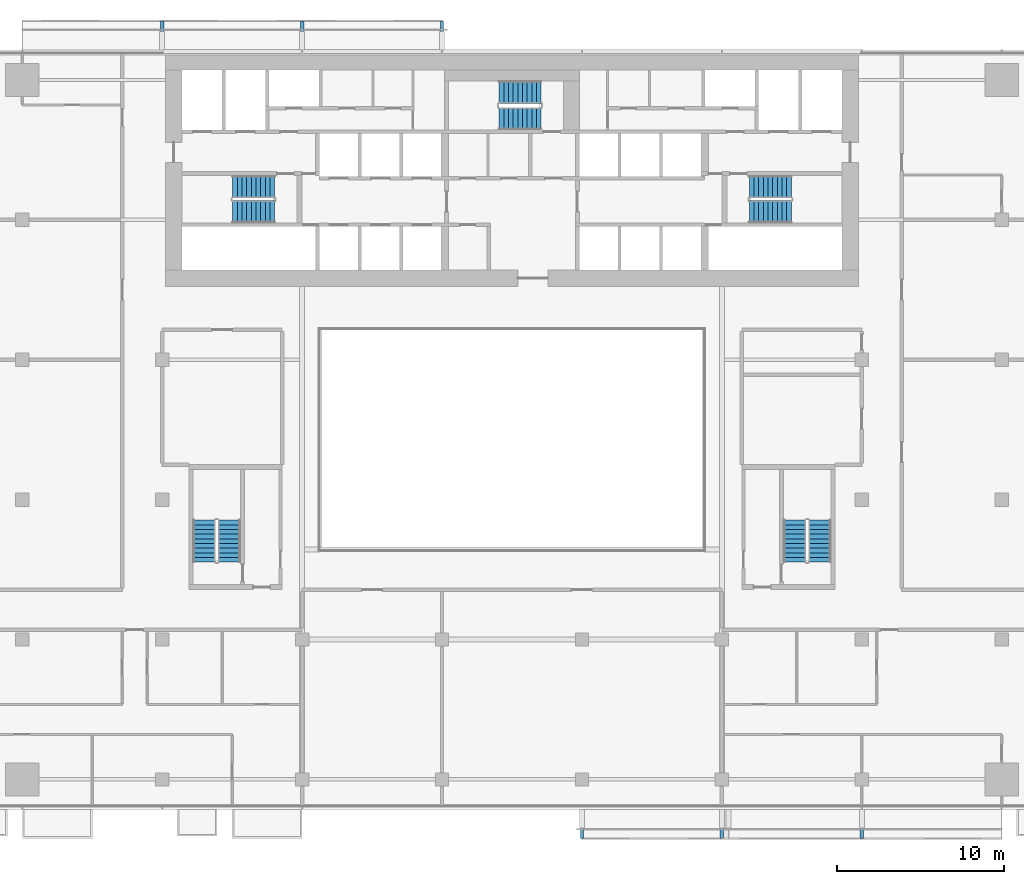
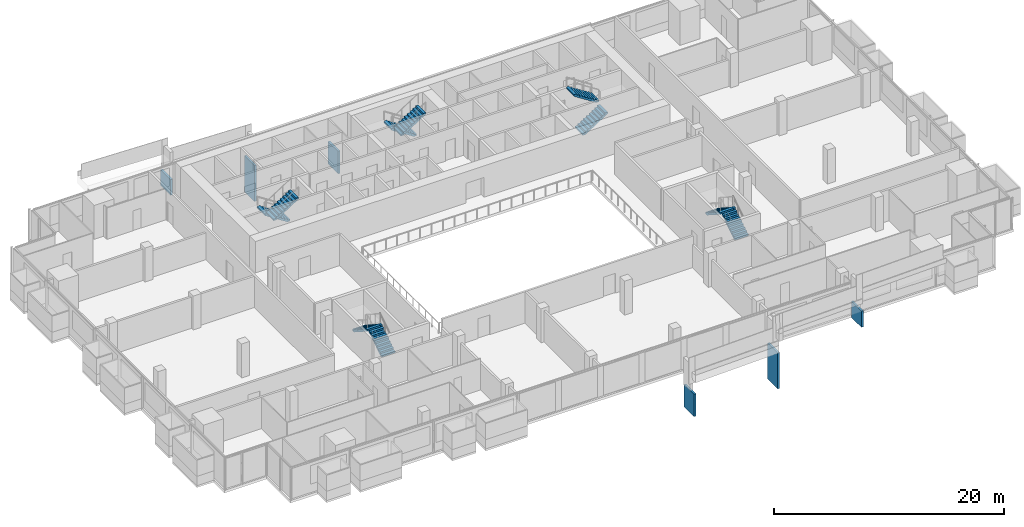
# One storey, part 23 of 26: 10 stair flights, 6 discrete accessories, 5 elements without a shape of their own.
"""IFC4 building model written with IfcOpenShell, lengths in metres."""

from ifc_helpers import new_model, si_unit, direction, frame, origin, origin_2d, place, context, subcontext, project, spatial, polyline, rectangle, outline, extrude, material, type_object, element, aggregate, save


model = new_model("IFC4")

# Units and contexts
model_context = context("Model", 3, precision=1e-05, world=origin(), true_north=direction((0.0, 1.0)))
body_context = subcontext(model_context, "Body", "Model", "MODEL_VIEW")
ifc_project = project(units=[si_unit("LENGTHUNIT", "METRE"), si_unit("AREAUNIT", "SQUARE_METRE"), si_unit("VOLUMEUNIT", "CUBIC_METRE"), si_unit("PLANEANGLEUNIT", "RADIAN"), si_unit("MASSUNIT", "GRAM", prefix="KILO")], contexts=[model_context])

# Site, building, storey
site_placement = place(None, origin())
site = spatial("IfcSite", under=ifc_project, at=site_placement, CompositionType="ELEMENT")
building_placement = place(site_placement, origin())
building = spatial("IfcBuilding", under=site, at=building_placement, Name="Saffron Gate Tower", CompositionType="ELEMENT")
storey_placement = place(building_placement, frame((0.0, 0.0, 102.449951171875)))
storey = spatial("IfcBuildingStorey", under=building, at=storey_placement, Name="L23", CompositionType="ELEMENT", Elevation=102.449951171875)

# Stair, stair flights
ifc_material = material(Name="Concrete C40", Category="concrete")
stair_type = type_object("IfcStairType", Name="ST7 Stair 1350 wide, 20 risers of 180", PredefinedType="HALF_TURN_STAIR", material=ifc_material)
stair_1_placement = place(storey_placement, origin())
stair_1 = element("IfcStair", 1, at=stair_1_placement, inside=storey, type_object=stair_type, Name="L23 Exit stair A", PredefinedType="HALF_TURN_STAIR")
stair_flight_type = type_object("IfcStairFlightType", Name="SF3 Stair flight 1350 wide, riser 180 going 280", PredefinedType="STRAIGHT", material=ifc_material)
stair_flight_1_placement = place(storey_placement, frame((73.35009765625, 67.375, 0.0), z_axis=(0.0, 0.0, 1.0), x_axis=(-1.0, 0.0, 0.0)))
stair_flight_1 = element("IfcStairFlight", 2, at=stair_flight_1_placement, type_object=stair_flight_type, Name="ST-A flight 1", NumberOfRisers=10, NumberOfTreads=9, PredefinedType="STRAIGHT", RiserHeight=0.18, TreadLength=0.28, context=body_context, shape_type="SweptSolid", body=[
    extrude(outline(polyline([(0.0, 0.0), (0.0, 0.179931640625), (0.280029296875, 0.179931640625), (0.280029296875, 0.360107421875), (0.56005859375, 0.360107421875), (0.56005859375, 0.5400390625), (0.840087890625, 0.5400390625), (0.840087890625, 0.719970703125), (1.1201171875, 0.719970703125), (1.1201171875, 0.89990234375), (1.39990234375, 0.89990234375), (1.39990234375, 1.080078125), (1.679931640625, 1.080078125), (1.679931640625, 1.260009765625), (1.9599609375, 1.260009765625), (1.9599609375, 1.43994140625), (2.239990234375, 1.43994140625), (2.239990234375, 1.6201171875), (2.52001953125, 1.6201171875), (2.52001953125, 1.800048828125), (2.52001953125, 1.44189453125), (0.277099609375, 0.0), (0.0, 0.0)])), frame((0.0, 0.675048828125, 0.0), z_axis=(0.0, -1.0, 0.0), x_axis=(1.0, 0.0, 0.0)), (0.0, 0.0, 1.0), 1.35009765625),
])
stair_flight_2_placement = place(storey_placement, frame((70.830078125, 65.875, 1.800048828125), z_axis=(0.0, 0.0, 1.0), x_axis=(1.0, 0.0, 0.0)))
stair_flight_2 = element("IfcStairFlight", 3, at=stair_flight_2_placement, type_object=stair_flight_type, Name="ST-A flight 2", NumberOfRisers=10, NumberOfTreads=9, PredefinedType="STRAIGHT", RiserHeight=0.18, TreadLength=0.28, context=body_context, shape_type="SweptSolid", body=[
    extrude(outline(polyline([(0.0, 0.0), (0.0, 0.179931640625), (0.280029296875, 0.179931640625), (0.280029296875, 0.360107421875), (0.56005859375, 0.360107421875), (0.56005859375, 0.5400390625), (0.840087890625, 0.5400390625), (0.840087890625, 0.719970703125), (1.1201171875, 0.719970703125), (1.1201171875, 0.89990234375), (1.39990234375, 0.89990234375), (1.39990234375, 1.080078125), (1.679931640625, 1.080078125), (1.679931640625, 1.260009765625), (1.9599609375, 1.260009765625), (1.9599609375, 1.43994140625), (2.239990234375, 1.43994140625), (2.239990234375, 1.6201171875), (2.52001953125, 1.6201171875), (2.52001953125, 1.800048828125), (2.52001953125, 1.44189453125), (0.277099609375, 0.0), (0.0, 0.0)])), frame((0.0, 0.675048828125, 0.0), z_axis=(0.0, -1.0, 0.0), x_axis=(1.0, 0.0, 0.0)), (0.0, 0.0, 1.0), 1.35009765625),
])
aggregate(stair_1, [stair_flight_1, stair_flight_2])

stair_2_placement = place(storey_placement, origin())
stair_2 = element("IfcStair", 4, at=stair_2_placement, inside=storey, type_object=stair_type, Name="L23 Exit stair B", PredefinedType="HALF_TURN_STAIR")
stair_flight_3_placement = place(storey_placement, frame((101.85009765625, 65.875, 0.0), z_axis=(0.0, 0.0, 1.0), x_axis=(1.0, 0.0, 0.0)))
stair_flight_3 = element("IfcStairFlight", 5, at=stair_flight_3_placement, type_object=stair_flight_type, Name="ST-B flight 1", NumberOfRisers=10, NumberOfTreads=9, PredefinedType="STRAIGHT", RiserHeight=0.18, TreadLength=0.28, context=body_context, shape_type="SweptSolid", body=[
    extrude(outline(polyline([(0.0, 0.0), (0.0, 0.179931640625), (0.280029296875, 0.179931640625), (0.280029296875, 0.360107421875), (0.56005859375, 0.360107421875), (0.56005859375, 0.5400390625), (0.840087890625, 0.5400390625), (0.840087890625, 0.719970703125), (1.1201171875, 0.719970703125), (1.1201171875, 0.89990234375), (1.39990234375, 0.89990234375), (1.39990234375, 1.080078125), (1.679931640625, 1.080078125), (1.679931640625, 1.260009765625), (1.9599609375, 1.260009765625), (1.9599609375, 1.43994140625), (2.239990234375, 1.43994140625), (2.239990234375, 1.6201171875), (2.52001953125, 1.6201171875), (2.52001953125, 1.800048828125), (2.52001953125, 1.44189453125), (0.277099609375, 0.0), (0.0, 0.0)])), frame((0.0, 0.675048828125, 0.0), z_axis=(0.0, -1.0, 0.0), x_axis=(1.0, 0.0, 0.0)), (0.0, 0.0, 1.0), 1.35009765625),
])
stair_flight_4_placement = place(storey_placement, frame((104.3701171875, 67.375, 1.800048828125), z_axis=(0.0, 0.0, 1.0), x_axis=(-1.0, 0.0, 0.0)))
stair_flight_4 = element("IfcStairFlight", 6, at=stair_flight_4_placement, type_object=stair_flight_type, Name="ST-B flight 2", NumberOfRisers=10, NumberOfTreads=9, PredefinedType="STRAIGHT", RiserHeight=0.18, TreadLength=0.28, context=body_context, shape_type="SweptSolid", body=[
    extrude(outline(polyline([(0.0, 0.0), (0.0, 0.179931640625), (0.280029296875, 0.179931640625), (0.280029296875, 0.360107421875), (0.56005859375, 0.360107421875), (0.56005859375, 0.5400390625), (0.840087890625, 0.5400390625), (0.840087890625, 0.719970703125), (1.1201171875, 0.719970703125), (1.1201171875, 0.89990234375), (1.39990234375, 0.89990234375), (1.39990234375, 1.080078125), (1.679931640625, 1.080078125), (1.679931640625, 1.260009765625), (1.9599609375, 1.260009765625), (1.9599609375, 1.43994140625), (2.239990234375, 1.43994140625), (2.239990234375, 1.6201171875), (2.52001953125, 1.6201171875), (2.52001953125, 1.800048828125), (2.52001953125, 1.44189453125), (0.277099609375, 0.0), (0.0, 0.0)])), frame((0.0, 0.675048828125, 0.0), z_axis=(0.0, -1.0, 0.0), x_axis=(1.0, 0.0, 0.0)), (0.0, 0.0, 1.0), 1.35009765625),
])
aggregate(stair_2, [stair_flight_3, stair_flight_4])

stair_3_placement = place(storey_placement, origin())
stair_3 = element("IfcStair", 7, at=stair_3_placement, inside=storey, type_object=stair_type, Name="L23 Exit stair C", PredefinedType="HALF_TURN_STAIR")
stair_flight_5_placement = place(storey_placement, frame((89.35009765625, 73.074951171875, 0.0), z_axis=(0.0, 0.0, 1.0), x_axis=(-1.0, 0.0, 0.0)))
stair_flight_5 = element("IfcStairFlight", 8, at=stair_flight_5_placement, type_object=stair_flight_type, Name="ST-C flight 1", NumberOfRisers=10, NumberOfTreads=9, PredefinedType="STRAIGHT", RiserHeight=0.18, TreadLength=0.28, context=body_context, shape_type="SweptSolid", body=[
    extrude(outline(polyline([(0.0, 0.0), (0.0, 0.179931640625), (0.280029296875, 0.179931640625), (0.280029296875, 0.360107421875), (0.56005859375, 0.360107421875), (0.56005859375, 0.5400390625), (0.840087890625, 0.5400390625), (0.840087890625, 0.719970703125), (1.1201171875, 0.719970703125), (1.1201171875, 0.89990234375), (1.39990234375, 0.89990234375), (1.39990234375, 1.080078125), (1.679931640625, 1.080078125), (1.679931640625, 1.260009765625), (1.9599609375, 1.260009765625), (1.9599609375, 1.43994140625), (2.239990234375, 1.43994140625), (2.239990234375, 1.6201171875), (2.52001953125, 1.6201171875), (2.52001953125, 1.800048828125), (2.52001953125, 1.44189453125), (0.277099609375, 0.0), (0.0, 0.0)])), frame((0.0, 0.675048828125, 0.0), z_axis=(0.0, -1.0, 0.0), x_axis=(1.0, 0.0, 0.0)), (0.0, 0.0, 1.0), 1.35009765625),
])
stair_flight_6_placement = place(storey_placement, frame((86.830078125, 71.47509765625, 1.800048828125), z_axis=(0.0, 0.0, 1.0), x_axis=(1.0, 0.0, 0.0)))
stair_flight_6 = element("IfcStairFlight", 9, at=stair_flight_6_placement, type_object=stair_flight_type, Name="ST-C flight 2", NumberOfRisers=10, NumberOfTreads=9, PredefinedType="STRAIGHT", RiserHeight=0.18, TreadLength=0.28, context=body_context, shape_type="SweptSolid", body=[
    extrude(outline(polyline([(0.0, 0.0), (0.0, 0.179931640625), (0.280029296875, 0.179931640625), (0.280029296875, 0.360107421875), (0.56005859375, 0.360107421875), (0.56005859375, 0.5400390625), (0.840087890625, 0.5400390625), (0.840087890625, 0.719970703125), (1.1201171875, 0.719970703125), (1.1201171875, 0.89990234375), (1.39990234375, 0.89990234375), (1.39990234375, 1.080078125), (1.679931640625, 1.080078125), (1.679931640625, 1.260009765625), (1.9599609375, 1.260009765625), (1.9599609375, 1.43994140625), (2.239990234375, 1.43994140625), (2.239990234375, 1.6201171875), (2.52001953125, 1.6201171875), (2.52001953125, 1.800048828125), (2.52001953125, 1.44189453125), (0.277099609375, 0.0), (0.0, 0.0)])), frame((0.0, 0.675048828125, 0.0), z_axis=(0.0, -1.0, 0.0), x_axis=(1.0, 0.0, 0.0)), (0.0, 0.0, 1.0), 1.35009765625),
])
aggregate(stair_3, [stair_flight_5, stair_flight_6])

stair_4_placement = place(storey_placement, origin())
stair_4 = element("IfcStair", 10, at=stair_4_placement, inside=storey, type_object=stair_type, Name="L23 Exit stair D", PredefinedType="HALF_TURN_STAIR")
stair_flight_7_placement = place(storey_placement, frame((70.625, 44.85009765625, 0.0), z_axis=(0.0, 0.0, 1.0), x_axis=(0.0, 1.0, 0.0)))
stair_flight_7 = element("IfcStairFlight", 11, at=stair_flight_7_placement, type_object=stair_flight_type, Name="ST-D flight 1", NumberOfRisers=10, NumberOfTreads=9, PredefinedType="STRAIGHT", RiserHeight=0.18, TreadLength=0.28, context=body_context, shape_type="SweptSolid", body=[
    extrude(outline(polyline([(0.0, 0.0), (0.0, 0.179931640625), (0.280029296875, 0.179931640625), (0.280029296875, 0.360107421875), (0.56005859375, 0.360107421875), (0.56005859375, 0.5400390625), (0.840087890625, 0.5400390625), (0.840087890625, 0.719970703125), (1.1201171875, 0.719970703125), (1.1201171875, 0.89990234375), (1.39990234375, 0.89990234375), (1.39990234375, 1.080078125), (1.679931640625, 1.080078125), (1.679931640625, 1.260009765625), (1.9599609375, 1.260009765625), (1.9599609375, 1.43994140625), (2.239990234375, 1.43994140625), (2.239990234375, 1.6201171875), (2.52001953125, 1.6201171875), (2.52001953125, 1.800048828125), (2.52001953125, 1.44189453125), (0.277099609375, 0.0), (0.0, 0.0)])), frame((0.0, 0.675048828125, 0.0), z_axis=(0.0, -1.0, 0.0), x_axis=(1.0, 0.0, 0.0)), (0.0, 0.0, 1.0), 1.35009765625),
])
stair_flight_8_placement = place(storey_placement, frame((69.125, 47.3701171875, 1.800048828125), z_axis=(0.0, 0.0, 1.0), x_axis=(0.0, -1.0, 0.0)))
stair_flight_8 = element("IfcStairFlight", 12, at=stair_flight_8_placement, type_object=stair_flight_type, Name="ST-D flight 2", NumberOfRisers=10, NumberOfTreads=9, PredefinedType="STRAIGHT", RiserHeight=0.18, TreadLength=0.28, context=body_context, shape_type="SweptSolid", body=[
    extrude(outline(polyline([(0.0, 0.0), (0.0, 0.179931640625), (0.280029296875, 0.179931640625), (0.280029296875, 0.360107421875), (0.56005859375, 0.360107421875), (0.56005859375, 0.5400390625), (0.840087890625, 0.5400390625), (0.840087890625, 0.719970703125), (1.1201171875, 0.719970703125), (1.1201171875, 0.89990234375), (1.39990234375, 0.89990234375), (1.39990234375, 1.080078125), (1.679931640625, 1.080078125), (1.679931640625, 1.260009765625), (1.9599609375, 1.260009765625), (1.9599609375, 1.43994140625), (2.239990234375, 1.43994140625), (2.239990234375, 1.6201171875), (2.52001953125, 1.6201171875), (2.52001953125, 1.800048828125), (2.52001953125, 1.44189453125), (0.277099609375, 0.0), (0.0, 0.0)])), frame((0.0, 0.675048828125, 0.0), z_axis=(0.0, -1.0, 0.0), x_axis=(1.0, 0.0, 0.0)), (0.0, 0.0, 1.0), 1.35009765625),
])
aggregate(stair_4, [stair_flight_7, stair_flight_8])

stair_5_placement = place(storey_placement, origin())
stair_5 = element("IfcStair", 13, at=stair_5_placement, inside=storey, type_object=stair_type, Name="L23 Exit stair E", PredefinedType="HALF_TURN_STAIR")
stair_flight_9_placement = place(storey_placement, frame((106.074951171875, 44.85009765625, 0.0), z_axis=(0.0, 0.0, 1.0), x_axis=(0.0, 1.0, 0.0)))
stair_flight_9 = element("IfcStairFlight", 14, at=stair_flight_9_placement, type_object=stair_flight_type, Name="ST-E flight 1", NumberOfRisers=10, NumberOfTreads=9, PredefinedType="STRAIGHT", RiserHeight=0.18, TreadLength=0.28, context=body_context, shape_type="SweptSolid", body=[
    extrude(outline(polyline([(0.0, 0.0), (0.0, 0.179931640625), (0.280029296875, 0.179931640625), (0.280029296875, 0.360107421875), (0.56005859375, 0.360107421875), (0.56005859375, 0.5400390625), (0.840087890625, 0.5400390625), (0.840087890625, 0.719970703125), (1.1201171875, 0.719970703125), (1.1201171875, 0.89990234375), (1.39990234375, 0.89990234375), (1.39990234375, 1.080078125), (1.679931640625, 1.080078125), (1.679931640625, 1.260009765625), (1.9599609375, 1.260009765625), (1.9599609375, 1.43994140625), (2.239990234375, 1.43994140625), (2.239990234375, 1.6201171875), (2.52001953125, 1.6201171875), (2.52001953125, 1.800048828125), (2.52001953125, 1.44189453125), (0.277099609375, 0.0), (0.0, 0.0)])), frame((0.0, 0.675048828125, 0.0), z_axis=(0.0, -1.0, 0.0), x_axis=(1.0, 0.0, 0.0)), (0.0, 0.0, 1.0), 1.35009765625),
])
stair_flight_10_placement = place(storey_placement, frame((104.574951171875, 47.3701171875, 1.800048828125), z_axis=(0.0, 0.0, 1.0), x_axis=(0.0, -1.0, 0.0)))
stair_flight_10 = element("IfcStairFlight", 15, at=stair_flight_10_placement, type_object=stair_flight_type, Name="ST-E flight 2", NumberOfRisers=10, NumberOfTreads=9, PredefinedType="STRAIGHT", RiserHeight=0.18, TreadLength=0.28, context=body_context, shape_type="SweptSolid", body=[
    extrude(outline(polyline([(0.0, 0.0), (0.0, 0.179931640625), (0.280029296875, 0.179931640625), (0.280029296875, 0.360107421875), (0.56005859375, 0.360107421875), (0.56005859375, 0.5400390625), (0.840087890625, 0.5400390625), (0.840087890625, 0.719970703125), (1.1201171875, 0.719970703125), (1.1201171875, 0.89990234375), (1.39990234375, 0.89990234375), (1.39990234375, 1.080078125), (1.679931640625, 1.080078125), (1.679931640625, 1.260009765625), (1.9599609375, 1.260009765625), (1.9599609375, 1.43994140625), (2.239990234375, 1.43994140625), (2.239990234375, 1.6201171875), (2.52001953125, 1.6201171875), (2.52001953125, 1.800048828125), (2.52001953125, 1.44189453125), (0.277099609375, 0.0), (0.0, 0.0)])), frame((0.0, 0.675048828125, 0.0), z_axis=(0.0, -1.0, 0.0), x_axis=(1.0, 0.0, 0.0)), (0.0, 0.0, 1.0), 1.35009765625),
])
aggregate(stair_5, [stair_flight_9, stair_flight_10])

# Discrete accessories
discrete_accessory_1_placement = place(storey_placement, frame((91.800048828125, 29.125, -3.8798828125), z_axis=(0.0, 0.0, 1.0), x_axis=(1.0, 0.0, 0.0)))
element("IfcDiscreteAccessory", 16, at=discrete_accessory_1_placement, inside=storey, Name="LEDGE rib", PredefinedType="BRACKET", context=body_context, shape_type="SweptSolid", body=[
    extrude(rectangle(XDim=0.199951171875, YDim=1.75, at=origin_2d()), origin(), (0.0, 0.0, 1.0), 2.379150390625),
])
discrete_accessory_2_placement = place(storey_placement, frame((100.199951171875, 29.125, -3.8798828125), z_axis=(0.0, 0.0, 1.0), x_axis=(1.0, 0.0, 0.0)))
element("IfcDiscreteAccessory", 17, at=discrete_accessory_2_placement, inside=storey, Name="LEDGE rib", PredefinedType="BRACKET", context=body_context, shape_type="SweptSolid", body=[
    extrude(rectangle(XDim=0.199951171875, YDim=1.75, at=origin_2d()), origin(), (0.0, 0.0, 1.0), 3.821533203125),
])
discrete_accessory_3_placement = place(storey_placement, frame((108.60009765625, 29.125, -0.27978515625), z_axis=(0.0, 0.0, 1.0), x_axis=(1.0, 0.0, 0.0)))
element("IfcDiscreteAccessory", 18, at=discrete_accessory_3_placement, inside=storey, Name="LEDGE rib", PredefinedType="BRACKET", context=body_context, shape_type="SweptSolid", body=[
    extrude(rectangle(XDim=0.199951171875, YDim=1.75, at=origin_2d()), origin(), (0.0, 0.0, 1.0), 1.720947265625),
])
discrete_accessory_4_placement = place(storey_placement, frame((83.39990234375, 76.47509765625, -3.8798828125), z_axis=(0.0, 0.0, 1.0), x_axis=(-1.0, 0.0, 0.0)))
element("IfcDiscreteAccessory", 19, at=discrete_accessory_4_placement, inside=storey, Name="LEDGE rib", PredefinedType="BRACKET", context=body_context, shape_type="SweptSolid", body=[
    extrude(rectangle(XDim=0.199951171875, YDim=1.75, at=origin_2d()), origin(), (0.0, 0.0, 1.0), 2.379150390625),
])
discrete_accessory_5_placement = place(storey_placement, frame((75.0, 76.47509765625, -3.8798828125), z_axis=(0.0, 0.0, 1.0), x_axis=(-1.0, 0.0, 0.0)))
element("IfcDiscreteAccessory", 20, at=discrete_accessory_5_placement, inside=storey, Name="LEDGE rib", PredefinedType="BRACKET", context=body_context, shape_type="SweptSolid", body=[
    extrude(rectangle(XDim=0.199951171875, YDim=1.75, at=origin_2d()), origin(), (0.0, 0.0, 1.0), 3.821533203125),
])
discrete_accessory_6_placement = place(storey_placement, frame((66.60009765625, 76.47509765625, -0.27978515625), z_axis=(0.0, 0.0, 1.0), x_axis=(-1.0, 0.0, 0.0)))
element("IfcDiscreteAccessory", 21, at=discrete_accessory_6_placement, inside=storey, Name="LEDGE rib", PredefinedType="BRACKET", context=body_context, shape_type="SweptSolid", body=[
    extrude(rectangle(XDim=0.199951171875, YDim=1.75, at=origin_2d()), origin(), (0.0, 0.0, 1.0), 1.663818359375),
])

save(model, "model.ifc")
